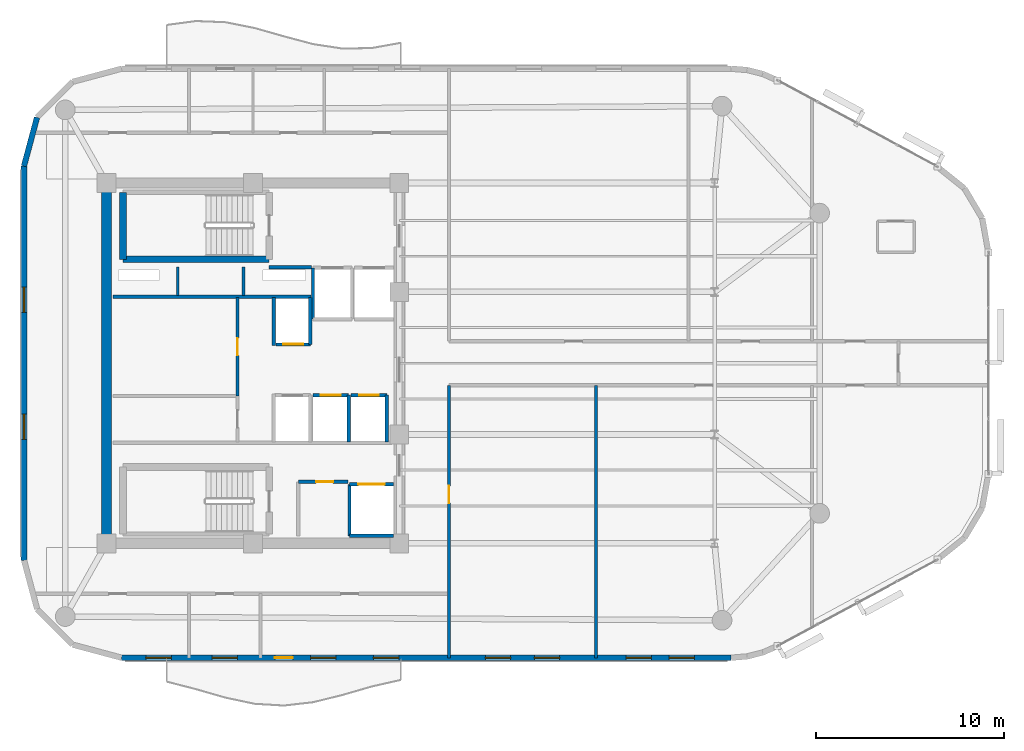
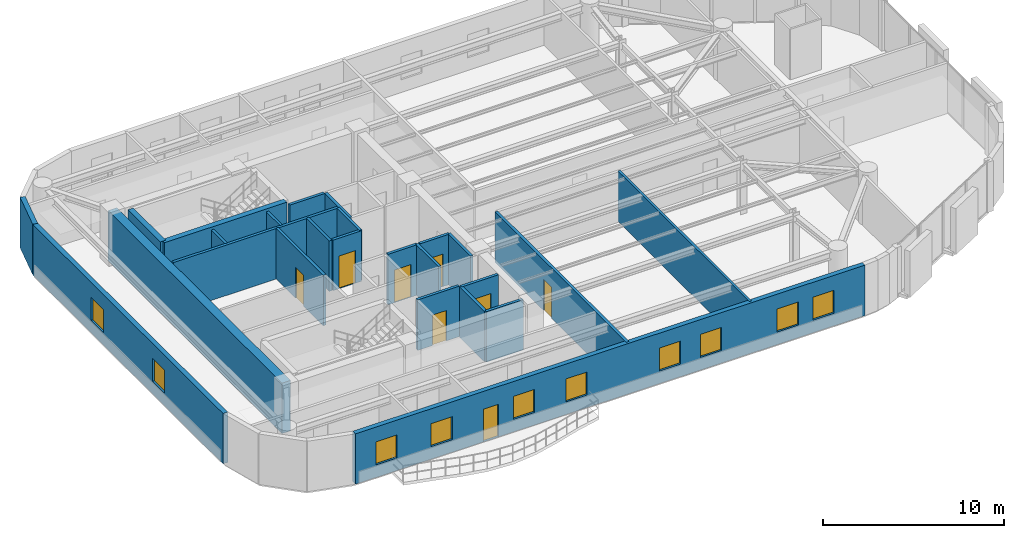
# One storey, part 9 of 13: 25 walls, 10 windows, 8 doors, 18 openings.
"""IFC4 building model written with IfcOpenShell, lengths in metres."""

from ifc_helpers import new_model, si_unit, direction, frame, frame_2d, origin, place, context, subcontext, project, spatial, rectangle, extrude, material, layer, layer_set, type_object, element, fill, save


model = new_model("IFC4")

# Units and contexts
model_context = context("Model", 3, precision=1e-05, world=origin(), true_north=direction((0.0, 1.0)))
body_context = subcontext(model_context, "Body", "Model", "MODEL_VIEW")
ifc_project = project(units=[si_unit("LENGTHUNIT", "METRE"), si_unit("AREAUNIT", "SQUARE_METRE"), si_unit("VOLUMEUNIT", "CUBIC_METRE"), si_unit("PLANEANGLEUNIT", "RADIAN"), si_unit("MASSUNIT", "GRAM", prefix="KILO")], contexts=[model_context])

# Site, building, storey
site_placement = place(None, origin())
site = spatial("IfcSite", under=ifc_project, at=site_placement, CompositionType="ELEMENT")
building_placement = place(site_placement, origin())
building = spatial("IfcBuilding", under=site, at=building_placement, Name="An Khanh Terracotta Commons", CompositionType="ELEMENT")
storey_placement = place(building_placement, frame((0.0, 0.0, 204.89990234375)))
storey = spatial("IfcBuildingStorey", under=building, at=storey_placement, Name="L53", CompositionType="ELEMENT", Elevation=204.89990234375)

# Walls
ifc_material_1 = material(Name="Concrete C50/60", Category="concrete")
ifc_layer_1 = layer(ifc_material_1, 0.550048828125, Name="Concrete C50/60")
ifc_layer_set_1 = layer_set([ifc_layer_1], Name="Concrete C50/60")
wall_type_1 = type_object("IfcWallType", Name="WALL-CORE-550", PredefinedType="SHEAR", material=ifc_layer_set_1)
wall_1_placement = place(storey_placement, frame((21.60009765625, 14.39990234375, 0.0), z_axis=(0.0, 0.0, 1.0), x_axis=(0.0, 1.0, 0.0)))
element("IfcWall", 1, at=wall_1_placement, inside=storey, type_object=wall_type_1, Name="L53 Core Wall CWALL-L53-W", PredefinedType="SHEAR", context=body_context, shape_type="SweptSolid", body=[
    extrude(rectangle(XDim=19.2001953125, YDim=0.550048828125, at=frame_2d((9.60009765625, 0.0))), origin(), (0.0, 0.0, 1.0), 3.400146484375),
])
ifc_material_2 = material(Name="Fire-Rated Gypsum Board on Steel Stud", Category="steel")
ifc_layer_2 = layer(ifc_material_2, 0.179931640625, Name="Fire-Rated Gypsum Board on Steel Stud")
ifc_layer_set_2 = layer_set([ifc_layer_2], Name="Fire-Rated Gypsum Board on Steel Stud")
wall_type_2 = type_object("IfcWallType", Name="WALL-CORR-180", PredefinedType="PARTITIONING", material=ifc_layer_set_2)
wall_2_placement = place(storey_placement, frame((30.27001953125, 29.1201171875, 0.0), z_axis=(0.0, 0.0, 1.0), x_axis=(1.0, 0.0, 0.0)))
element("IfcWall", 2, at=wall_2_placement, inside=storey, type_object=wall_type_2, Name="L53 Core Wall FFLW-L53-S", PredefinedType="PARTITIONING", context=body_context, shape_type="SweptSolid", body=[
    extrude(rectangle(XDim=2.239990234375, YDim=0.179931640625, at=frame_2d((1.1201171875, 0.0))), origin(), (0.0, 0.0, 1.0), 3.400146484375),
])
wall_3_placement = place(storey_placement, frame((21.949951171875, 27.5400390625, 0.0), z_axis=(0.0, 0.0, 1.0), x_axis=(1.0, 0.0, 0.0)))
element("IfcWall", 3, at=wall_3_placement, inside=storey, type_object=wall_type_2, Name="L53 Core Wall RSRW-L53-S", PredefinedType="PARTITIONING", context=body_context, shape_type="SweptSolid", body=[
    extrude(rectangle(XDim=10.56005859375, YDim=0.179931640625, at=frame_2d((5.280029296875, 0.0))), origin(), (0.0, 0.0, 1.0), 3.400146484375),
])

# Wall, opening, door
wall_4_placement = place(storey_placement, frame((31.820068359375, 17.679931640625, 0.0), z_axis=(0.0, 0.0, 1.0), x_axis=(1.0, 0.0, 0.0)))
wall_4 = element("IfcWall", 4, at=wall_4_placement, inside=storey, type_object=wall_type_2, Name="L53 Core Wall SSVCW-L53-N", PredefinedType="PARTITIONING", context=body_context, shape_type="SweptSolid", body=[
    extrude(rectangle(XDim=2.659912109375, YDim=0.179931640625, at=frame_2d((1.330078125, 0.0))), origin(), (0.0, 0.0, 1.0), 3.400146484375),
])
opening_1_placement = place(wall_4_placement, frame((0.949951171875, 0.0, 0.0)))
opening_1 = element("IfcOpeningElement", 5, at=opening_1_placement, cuts=wall_4, Name="Opening D-SV", PredefinedType="OPENING", context=body_context, shape_type="SweptSolid", body=[
    extrude(rectangle(XDim=0.89990234375, YDim=2.050048828125, at=frame_2d((0.449951171875, 1.02490234375))), frame((0.0, 0.099853515625, 0.0), z_axis=(0.0, -1.0, 0.0), x_axis=(1.0, 0.0, 0.0)), (0.0, 0.0, 1.0), 0.199951171875),
])
ifc_material_3 = material(Name="Fire-Rated Powder-Coated Steel Door", Category="steel")
door_type_1 = type_object("IfcDoorType", Name="DOOR-SERV-900", OperationType="NOTDEFINED", PredefinedType="DOOR", material=ifc_material_3)
door_1_placement = place(opening_1_placement, origin())
door_1 = element("IfcDoor", 6, at=door_1_placement, inside=storey, type_object=door_type_1, Name="L53 Core Housekeeping Store Door", OperationType="SINGLE_SWING_LEFT", OverallHeight=2.050048828125, OverallWidth=0.89990234375, PredefinedType="DOOR", context=body_context, shape_type="SweptSolid", body=[
    extrude(rectangle(XDim=0.89990234375, YDim=2.050048828125, at=frame_2d((0.449951171875, 1.02490234375))), frame((0.0, 0.02490234375, 0.0), z_axis=(0.0, -1.0, 0.0), x_axis=(1.0, 0.0, 0.0)), (0.0, 0.0, 1.0), 0.050048828125),
])
fill(opening_1, door_1)

# Wall
wall_5_placement = place(storey_placement, frame((32.60009765625, 29.080078125, 0.0), z_axis=(0.0, 0.0, 1.0), x_axis=(0.0, -1.0, 0.0)))
element("IfcWall", 7, at=wall_5_placement, inside=storey, type_object=wall_type_2, Name="L53 Core Wall LSH-L53-FFL-01-W", PredefinedType="PARTITIONING", context=body_context, shape_type="SweptSolid", body=[
    extrude(rectangle(XDim=2.72998046875, YDim=0.179931640625, at=frame_2d((1.364990234375, 0.0))), origin(), (0.0, 0.0, 1.0), 3.400146484375),
])

# Wall, opening, door
wall_6_placement = place(storey_placement, frame((34.550048828125, 17.550048828125, 0.0), z_axis=(0.0, 0.0, 1.0), x_axis=(1.0, 0.0, 0.0)))
wall_6 = element("IfcWall", 8, at=wall_6_placement, inside=storey, type_object=wall_type_2, Name="L53 Core Wall LSH-L53-SVL-01-N", PredefinedType="PARTITIONING", context=body_context, shape_type="SweptSolid", body=[
    extrude(rectangle(XDim=2.349853515625, YDim=0.179931640625, at=frame_2d((1.1748046875, 0.0))), origin(), (0.0, 0.0, 1.0), 3.400146484375),
])
opening_2_placement = place(wall_6_placement, frame((0.47509765625, 0.0, 0.0)))
opening_2 = element("IfcOpeningElement", 9, at=opening_2_placement, cuts=wall_6, Name="Opening LD-SVL-01-L53", PredefinedType="OPENING", context=body_context, shape_type="SweptSolid", body=[
    extrude(rectangle(XDim=1.39990234375, YDim=2.300048828125, at=frame_2d((0.699951171875, 1.14990234375))), frame((0.0, 0.099853515625, 0.0), z_axis=(0.0, -1.0, 0.0), x_axis=(1.0, 0.0, 0.0)), (0.0, 0.0, 1.0), 0.199951171875),
])
ifc_material_4 = material(Name="Heavy-Duty Stainless Steel Goods Landing Door", Category="steel")
door_type_2 = type_object("IfcDoorType", Name="DOOR-LD-SVL-1400", OperationType="NOTDEFINED", PredefinedType="DOOR", material=ifc_material_4)
door_2_placement = place(opening_2_placement, origin())
door_2 = element("IfcDoor", 10, at=door_2_placement, inside=storey, type_object=door_type_2, Name="L53 Lift SVL-01 Sliding Landing Door", OperationType="DOUBLE_DOOR_SLIDING", OverallHeight=2.300048828125, OverallWidth=1.39990234375, PredefinedType="DOOR", context=body_context, shape_type="SweptSolid", body=[
    extrude(rectangle(XDim=1.39990234375, YDim=2.300048828125, at=frame_2d((0.699951171875, 1.14990234375))), frame((0.0, 0.02490234375, 0.0), z_axis=(0.0, -1.0, 0.0), x_axis=(1.0, 0.0, 0.0)), (0.0, 0.0, 1.0), 0.050048828125),
])
fill(opening_2, door_2)

# Walls
wall_7_placement = place(storey_placement, frame((36.89990234375, 14.800048828125, 0.0), z_axis=(0.0, 0.0, 1.0), x_axis=(-1.0, 0.0, 0.0)))
element("IfcWall", 11, at=wall_7_placement, inside=storey, type_object=wall_type_2, Name="L53 Core Wall LSH-L53-SVL-01-S", PredefinedType="PARTITIONING", context=body_context, shape_type="SweptSolid", body=[
    extrude(rectangle(XDim=2.349853515625, YDim=0.179931640625, at=frame_2d((1.1748046875, 0.0))), origin(), (0.0, 0.0, 1.0), 3.400146484375),
])
wall_8_placement = place(storey_placement, frame((34.550048828125, 17.550048828125, 0.0), z_axis=(0.0, 0.0, 1.0), x_axis=(0.0, -1.0, 0.0)))
element("IfcWall", 12, at=wall_8_placement, inside=storey, type_object=wall_type_2, Name="L53 Core Wall LSH-L53-SVL-01-W", PredefinedType="PARTITIONING", context=body_context, shape_type="SweptSolid", body=[
    extrude(rectangle(XDim=2.75, YDim=0.179931640625, at=frame_2d((1.375, 0.0))), origin(), (0.0, 0.0, 1.0), 3.400146484375),
])

# Wall, opening, door
wall_9_placement = place(storey_placement, frame((32.4599609375, 25.0, 0.0), z_axis=(0.0, 0.0, 1.0), x_axis=(-1.0, 0.0, 0.0)))
wall_9 = element("IfcWall", 13, at=wall_9_placement, inside=storey, type_object=wall_type_2, Name="L53 Core Wall LSH-L53-PL-H1-S", PredefinedType="PARTITIONING", context=body_context, shape_type="SweptSolid", body=[
    extrude(rectangle(XDim=1.820068359375, YDim=0.179931640625, at=frame_2d((0.91015625, 0.0))), origin(), (0.0, 0.0, 1.0), 3.400146484375),
])
opening_3_placement = place(wall_9_placement, frame((0.385009765625, 0.0, 0.0)))
opening_3 = element("IfcOpeningElement", 14, at=opening_3_placement, cuts=wall_9, Name="Opening LD-PL-H1-L53", PredefinedType="OPENING", context=body_context, shape_type="SweptSolid", body=[
    extrude(rectangle(XDim=1.050048828125, YDim=2.199951171875, at=frame_2d((0.52490234375, 1.10009765625))), frame((0.0, 0.099853515625, 0.0), z_axis=(0.0, -1.0, 0.0), x_axis=(1.0, 0.0, 0.0)), (0.0, 0.0, 1.0), 0.199951171875),
])
ifc_material_5 = material(Name="Brushed Stainless Steel High-Rise Landing Door", Category="steel")
door_type_3 = type_object("IfcDoorType", Name="DOOR-LD-PAXH-1050", OperationType="NOTDEFINED", PredefinedType="DOOR", material=ifc_material_5)
door_3_placement = place(opening_3_placement, origin())
door_3 = element("IfcDoor", 15, at=door_3_placement, inside=storey, type_object=door_type_3, Name="L53 Lift PL-H1 Sliding Landing Door", OperationType="DOUBLE_DOOR_SLIDING", OverallHeight=2.199951171875, OverallWidth=1.050048828125, PredefinedType="DOOR", context=body_context, shape_type="SweptSolid", body=[
    extrude(rectangle(XDim=1.050048828125, YDim=2.199951171875, at=frame_2d((0.52490234375, 1.10009765625))), frame((0.0, 0.02490234375, 0.0), z_axis=(0.0, -1.0, 0.0), x_axis=(1.0, 0.0, 0.0)), (0.0, 0.0, 1.0), 0.050048828125),
])
fill(opening_3, door_3)

# Wall
wall_10_placement = place(storey_placement, frame((32.4599609375, 25.0, 0.0), z_axis=(0.0, 0.0, 1.0), x_axis=(0.0, 1.0, 0.0)))
element("IfcWall", 16, at=wall_10_placement, inside=storey, type_object=wall_type_2, Name="L53 Core Wall LSH-L53-PL-H1-E", PredefinedType="PARTITIONING", context=body_context, shape_type="SweptSolid", body=[
    extrude(rectangle(XDim=2.5, YDim=0.179931640625, at=frame_2d((1.25, 0.0))), origin(), (0.0, 0.0, 1.0), 3.400146484375),
])

# Wall, opening, door
wall_11_placement = place(storey_placement, frame((32.60009765625, 22.300048828125, 0.0), z_axis=(0.0, 0.0, 1.0), x_axis=(1.0, 0.0, 0.0)))
wall_11 = element("IfcWall", 17, at=wall_11_placement, inside=storey, type_object=wall_type_2, Name="L53 Core Wall LSH-L53-PL-H3-N", PredefinedType="PARTITIONING", context=body_context, shape_type="SweptSolid", body=[
    extrude(rectangle(XDim=1.89990234375, YDim=0.179931640625, at=frame_2d((0.949951171875, 0.0))), origin(), (0.0, 0.0, 1.0), 3.400146484375),
])
opening_4_placement = place(wall_11_placement, frame((0.425048828125, 0.0, 0.0)))
opening_4 = element("IfcOpeningElement", 18, at=opening_4_placement, cuts=wall_11, Name="Opening LD-PL-H3-L53", PredefinedType="OPENING", context=body_context, shape_type="SweptSolid", body=[
    extrude(rectangle(XDim=1.050048828125, YDim=2.199951171875, at=frame_2d((0.52490234375, 1.10009765625))), frame((0.0, 0.099853515625, 0.0), z_axis=(0.0, -1.0, 0.0), x_axis=(1.0, 0.0, 0.0)), (0.0, 0.0, 1.0), 0.199951171875),
])
door_4_placement = place(opening_4_placement, origin())
door_4 = element("IfcDoor", 19, at=door_4_placement, inside=storey, type_object=door_type_3, Name="L53 Lift PL-H3 Sliding Landing Door", OperationType="DOUBLE_DOOR_SLIDING", OverallHeight=2.199951171875, OverallWidth=1.050048828125, PredefinedType="DOOR", context=body_context, shape_type="SweptSolid", body=[
    extrude(rectangle(XDim=1.050048828125, YDim=2.199951171875, at=frame_2d((0.52490234375, 1.10009765625))), frame((0.0, 0.02490234375, 0.0), z_axis=(0.0, -1.0, 0.0), x_axis=(1.0, 0.0, 0.0)), (0.0, 0.0, 1.0), 0.050048828125),
])
fill(opening_4, door_4)

# Wall
wall_12_placement = place(storey_placement, frame((34.5, 19.800048828125, 0.0), z_axis=(0.0, 0.0, 1.0), x_axis=(0.0, 1.0, 0.0)))
element("IfcWall", 20, at=wall_12_placement, inside=storey, type_object=wall_type_2, Name="L53 Core Wall LSH-L53-PL-H3-E", PredefinedType="PARTITIONING", context=body_context, shape_type="SweptSolid", body=[
    extrude(rectangle(XDim=2.5, YDim=0.179931640625, at=frame_2d((1.25, 0.0))), origin(), (0.0, 0.0, 1.0), 3.400146484375),
])

# Wall, opening, door
wall_13_placement = place(storey_placement, frame((34.639892578125, 22.300048828125, 0.0), z_axis=(0.0, 0.0, 1.0), x_axis=(1.0, 0.0, 0.0)))
wall_13 = element("IfcWall", 21, at=wall_13_placement, inside=storey, type_object=wall_type_2, Name="L53 Core Wall LSH-L53-PL-H4-N", PredefinedType="PARTITIONING", context=body_context, shape_type="SweptSolid", body=[
    extrude(rectangle(XDim=1.900146484375, YDim=0.179931640625, at=frame_2d((0.9501953125, 0.0))), origin(), (0.0, 0.0, 1.0), 3.400146484375),
])
opening_5_placement = place(wall_13_placement, frame((0.425048828125, 0.0, 0.0)))
opening_5 = element("IfcOpeningElement", 22, at=opening_5_placement, cuts=wall_13, Name="Opening LD-PL-H4-L53", PredefinedType="OPENING", context=body_context, shape_type="SweptSolid", body=[
    extrude(rectangle(XDim=1.050048828125, YDim=2.199951171875, at=frame_2d((0.52490234375, 1.10009765625))), frame((0.0, 0.099853515625, 0.0), z_axis=(0.0, -1.0, 0.0), x_axis=(1.0, 0.0, 0.0)), (0.0, 0.0, 1.0), 0.199951171875),
])
door_5_placement = place(opening_5_placement, origin())
door_5 = element("IfcDoor", 23, at=door_5_placement, inside=storey, type_object=door_type_3, Name="L53 Lift PL-H4 Sliding Landing Door", OperationType="DOUBLE_DOOR_SLIDING", OverallHeight=2.199951171875, OverallWidth=1.050048828125, PredefinedType="DOOR", context=body_context, shape_type="SweptSolid", body=[
    extrude(rectangle(XDim=1.050048828125, YDim=2.199951171875, at=frame_2d((0.52490234375, 1.10009765625))), frame((0.0, 0.02490234375, 0.0), z_axis=(0.0, -1.0, 0.0), x_axis=(1.0, 0.0, 0.0)), (0.0, 0.0, 1.0), 0.050048828125),
])
fill(opening_5, door_5)

# Walls
wall_14_placement = place(storey_placement, frame((36.5400390625, 19.800048828125, 0.0), z_axis=(0.0, 0.0, 1.0), x_axis=(0.0, 1.0, 0.0)))
element("IfcWall", 24, at=wall_14_placement, inside=storey, type_object=wall_type_2, Name="L53 Core Wall LSH-L53-PL-H4-E", PredefinedType="PARTITIONING", context=body_context, shape_type="SweptSolid", body=[
    extrude(rectangle(XDim=2.5, YDim=0.179931640625, at=frame_2d((1.25, 0.0))), origin(), (0.0, 0.0, 1.0), 3.400146484375),
])
wall_15_placement = place(storey_placement, frame((30.52001953125, 24.949951171875, 0.0), z_axis=(0.0, 0.0, 1.0), x_axis=(0.0, 1.0, 0.0)))
element("IfcWall", 25, at=wall_15_placement, inside=storey, type_object=wall_type_2, Name="L53 Core Wall RECW-L53-BE1", PredefinedType="PARTITIONING", context=body_context, shape_type="SweptSolid", body=[
    extrude(rectangle(XDim=2.550048828125, YDim=0.179931640625, at=frame_2d((1.27490234375, 0.0))), origin(), (0.0, 0.0, 1.0), 3.400146484375),
])

# Wall, opening, door
wall_16_placement = place(storey_placement, frame((28.580078125, 22.25, 0.0), z_axis=(0.0, 0.0, 1.0), x_axis=(0.0, 1.0, 0.0)))
wall_16 = element("IfcWall", 26, at=wall_16_placement, inside=storey, type_object=wall_type_2, Name="L53 Core Wall RECW-L53-E1", PredefinedType="PARTITIONING", context=body_context, shape_type="SweptSolid", body=[
    extrude(rectangle(XDim=5.25, YDim=0.179931640625, at=frame_2d((2.625, 0.0))), origin(), (0.0, 0.0, 1.0), 3.400146484375),
])
opening_6_placement = place(wall_16_placement, frame((2.1650390625, 0.0, 0.0)))
opening_6 = element("IfcOpeningElement", 27, at=opening_6_placement, cuts=wall_16, Name="Opening D-RM", PredefinedType="OPENING", context=body_context, shape_type="SweptSolid", body=[
    extrude(rectangle(XDim=0.919921875, YDim=2.10009765625, at=frame_2d((0.4599609375, 1.050048828125))), frame((0.0, 0.099853515625, 0.0), z_axis=(0.0, -1.0, 0.0), x_axis=(1.0, 0.0, 0.0)), (0.0, 0.0, 1.0), 0.199951171875),
])
ifc_material_6 = material(Name="Engineered Hardwood Timber Leaf", Category="wood")
door_type_4 = type_object("IfcDoorType", Name="DOOR-INT-920", OperationType="NOTDEFINED", PredefinedType="DOOR", material=ifc_material_6)
door_6_placement = place(opening_6_placement, origin())
door_6 = element("IfcDoor", 28, at=door_6_placement, inside=storey, type_object=door_type_4, Name="L53 Quiet Fellowship Study Room Door", OperationType="SINGLE_SWING_RIGHT", OverallHeight=2.10009765625, OverallWidth=0.919921875, PredefinedType="DOOR", context=body_context, shape_type="SweptSolid", body=[
    extrude(rectangle(XDim=0.919921875, YDim=2.10009765625, at=frame_2d((0.4599609375, 1.050048828125))), frame((0.0, 0.02490234375, 0.0), z_axis=(0.0, -1.0, 0.0), x_axis=(1.0, 0.0, 0.0)), (0.0, 0.0, 1.0), 0.050048828125),
])
fill(opening_6, door_6)

wall_17_placement = place(storey_placement, frame((39.85009765625, 8.300048828125, 0.0), z_axis=(0.0, 0.0, 1.0), x_axis=(0.0, 1.0, 0.0)))
wall_17 = element("IfcWall", 29, at=wall_17_placement, inside=storey, type_object=wall_type_2, Name="L53 Interior Partition IW-L53-E010", PredefinedType="PARTITIONING", context=body_context, shape_type="SweptSolid", body=[
    extrude(rectangle(XDim=14.52001953125, YDim=0.179931640625, at=frame_2d((7.260009765625, 0.0))), origin(), (0.0, 0.0, 1.0), 3.400146484375),
])
opening_7_placement = place(wall_17_placement, frame((8.25, 0.0, 0.0)))
opening_7 = element("IfcOpeningElement", 30, at=opening_7_placement, cuts=wall_17, Name="Opening D-RM", PredefinedType="OPENING", context=body_context, shape_type="SweptSolid", body=[
    extrude(rectangle(XDim=0.919921875, YDim=2.10009765625, at=frame_2d((0.4599609375, 1.050048828125))), frame((0.0, 0.099853515625, 0.0), z_axis=(0.0, -1.0, 0.0), x_axis=(1.0, 0.0, 0.0)), (0.0, 0.0, 1.0), 0.199951171875),
])
door_7_placement = place(opening_7_placement, origin())
door_7 = element("IfcDoor", 31, at=door_7_placement, inside=storey, type_object=door_type_4, Name="L53 SB1 Group Tutorial Meeting Room Door", OperationType="SINGLE_SWING_RIGHT", OverallHeight=2.10009765625, OverallWidth=0.919921875, PredefinedType="DOOR", context=body_context, shape_type="SweptSolid", body=[
    extrude(rectangle(XDim=0.919921875, YDim=2.10009765625, at=frame_2d((0.4599609375, 1.050048828125))), frame((0.0, 0.02490234375, 0.0), z_axis=(0.0, -1.0, 0.0), x_axis=(1.0, 0.0, 0.0)), (0.0, 0.0, 1.0), 0.050048828125),
])
fill(opening_7, door_7)

# Wall, openings, door, windows
ifc_material_7 = material(Name="Precast concrete C40/50", Category="concrete")
ifc_layer_3 = layer(ifc_material_7, 0.300048828125, Name="Precast concrete C40/50")
ifc_layer_set_3 = layer_set([ifc_layer_3], Name="Precast concrete C40/50")
wall_type_3 = type_object("IfcWallType", Name="WALL-EXT-300", PredefinedType="SOLIDWALL", material=ifc_layer_set_3)
wall_18_placement = place(storey_placement, frame((22.39990234375, 8.300048828125, 0.0), z_axis=(0.0, 0.0, 1.0), x_axis=(1.0, 0.0, 0.0)))
wall_18 = element("IfcWall", 32, at=wall_18_placement, inside=storey, type_object=wall_type_3, Name="L53 Insulated Terracotta Exterior Wall 4", PredefinedType="SOLIDWALL", context=body_context, shape_type="SweptSolid", body=[
    extrude(rectangle(XDim=32.485107421875, YDim=0.300048828125, at=frame_2d((16.24267578125, 0.0))), origin(), (0.0, 0.0, 1.0), 3.400146484375),
])
opening_8_placement = place(wall_18_placement, frame((8.175048828125, 0.0, 0.0)))
opening_8 = element("IfcOpeningElement", 33, at=opening_8_placement, cuts=wall_18, Name="Opening D-BAL", PredefinedType="OPENING", context=body_context, shape_type="SweptSolid", body=[
    extrude(rectangle(XDim=0.949951171875, YDim=2.199951171875, at=frame_2d((0.47509765625, 1.10009765625))), frame((0.0, 0.159912109375, 0.0), z_axis=(0.0, -1.0, 0.0), x_axis=(1.0, 0.0, 0.0)), (0.0, 0.0, 1.0), 0.320068359375),
])
opening_9_placement = place(wall_18_placement, frame((1.300048828125, 0.0, 0.85009765625)))
opening_9 = element("IfcOpeningElement", 34, at=opening_9_placement, cuts=wall_18, Name="Opening W-04", PredefinedType="OPENING", context=body_context, shape_type="SweptSolid", body=[
    extrude(rectangle(XDim=1.35009765625, YDim=1.550048828125, at=frame_2d((0.675048828125, 0.77490234375))), frame((0.0, 0.159912109375, 0.0), z_axis=(0.0, -1.0, 0.0), x_axis=(1.0, 0.0, 0.0)), (0.0, 0.0, 1.0), 0.320068359375),
])
opening_10_placement = place(wall_18_placement, frame((4.824951171875, 0.0, 0.85009765625)))
opening_10 = element("IfcOpeningElement", 35, at=opening_10_placement, cuts=wall_18, Name="Opening W-04", PredefinedType="OPENING", context=body_context, shape_type="SweptSolid", body=[
    extrude(rectangle(XDim=1.35009765625, YDim=1.550048828125, at=frame_2d((0.675048828125, 0.77490234375))), frame((0.0, 0.159912109375, 0.0), z_axis=(0.0, -1.0, 0.0), x_axis=(1.0, 0.0, 0.0)), (0.0, 0.0, 1.0), 0.320068359375),
])
opening_11_placement = place(wall_18_placement, frame((10.074951171875, 0.0, 0.85009765625)))
opening_11 = element("IfcOpeningElement", 36, at=opening_11_placement, cuts=wall_18, Name="Opening W-04", PredefinedType="OPENING", context=body_context, shape_type="SweptSolid", body=[
    extrude(rectangle(XDim=1.35009765625, YDim=1.550048828125, at=frame_2d((0.675048828125, 0.77490234375))), frame((0.0, 0.159912109375, 0.0), z_axis=(0.0, -1.0, 0.0), x_axis=(1.0, 0.0, 0.0)), (0.0, 0.0, 1.0), 0.320068359375),
])
opening_12_placement = place(wall_18_placement, frame((13.425048828125, 0.0, 0.85009765625)))
opening_12 = element("IfcOpeningElement", 37, at=opening_12_placement, cuts=wall_18, Name="Opening W-04", PredefinedType="OPENING", context=body_context, shape_type="SweptSolid", body=[
    extrude(rectangle(XDim=1.35009765625, YDim=1.550048828125, at=frame_2d((0.675048828125, 0.77490234375))), frame((0.0, 0.159912109375, 0.0), z_axis=(0.0, -1.0, 0.0), x_axis=(1.0, 0.0, 0.0)), (0.0, 0.0, 1.0), 0.320068359375),
])
opening_13_placement = place(wall_18_placement, frame((19.385986328125, 0.0, 0.85009765625)))
opening_13 = element("IfcOpeningElement", 38, at=opening_13_placement, cuts=wall_18, Name="Opening W-04", PredefinedType="OPENING", context=body_context, shape_type="SweptSolid", body=[
    extrude(rectangle(XDim=1.35009765625, YDim=1.550048828125, at=frame_2d((0.675048828125, 0.77490234375))), frame((0.0, 0.159912109375, 0.0), z_axis=(0.0, -1.0, 0.0), x_axis=(1.0, 0.0, 0.0)), (0.0, 0.0, 1.0), 0.320068359375),
])
opening_14_placement = place(wall_18_placement, frame((21.99609375, 0.0, 0.85009765625)))
opening_14 = element("IfcOpeningElement", 39, at=opening_14_placement, cuts=wall_18, Name="Opening W-04", PredefinedType="OPENING", context=body_context, shape_type="SweptSolid", body=[
    extrude(rectangle(XDim=1.35009765625, YDim=1.550048828125, at=frame_2d((0.675048828125, 0.77490234375))), frame((0.0, 0.159912109375, 0.0), z_axis=(0.0, -1.0, 0.0), x_axis=(1.0, 0.0, 0.0)), (0.0, 0.0, 1.0), 0.320068359375),
])
opening_15_placement = place(wall_18_placement, frame((26.89111328125, 0.0, 0.85009765625)))
opening_15 = element("IfcOpeningElement", 40, at=opening_15_placement, cuts=wall_18, Name="Opening W-04", PredefinedType="OPENING", context=body_context, shape_type="SweptSolid", body=[
    extrude(rectangle(XDim=1.35009765625, YDim=1.550048828125, at=frame_2d((0.675048828125, 0.77490234375))), frame((0.0, 0.159912109375, 0.0), z_axis=(0.0, -1.0, 0.0), x_axis=(1.0, 0.0, 0.0)), (0.0, 0.0, 1.0), 0.320068359375),
])
opening_16_placement = place(wall_18_placement, frame((29.176025390625, 0.0, 0.85009765625)))
opening_16 = element("IfcOpeningElement", 41, at=opening_16_placement, cuts=wall_18, Name="Opening W-04", PredefinedType="OPENING", context=body_context, shape_type="SweptSolid", body=[
    extrude(rectangle(XDim=1.35009765625, YDim=1.550048828125, at=frame_2d((0.675048828125, 0.77490234375))), frame((0.0, 0.159912109375, 0.0), z_axis=(0.0, -1.0, 0.0), x_axis=(1.0, 0.0, 0.0)), (0.0, 0.0, 1.0), 0.320068359375),
])
ifc_material_8 = material(Name="Thermally Broken Aluminium and Low-E Glass", Category="aluminium")
door_type_5 = type_object("IfcDoorType", Name="DOOR-BALC-950", OperationType="NOTDEFINED", PredefinedType="DOOR", material=ifc_material_8)
door_8_placement = place(opening_8_placement, origin())
door_8 = element("IfcDoor", 42, at=door_8_placement, inside=storey, type_object=door_type_5, Name="L53 S Wave Balcony Glazed Door", OperationType="SINGLE_SWING_LEFT", OverallHeight=2.199951171875, OverallWidth=0.949951171875, PredefinedType="DOOR", context=body_context, shape_type="SweptSolid", body=[
    extrude(rectangle(XDim=0.949951171875, YDim=2.199951171875, at=frame_2d((0.47509765625, 1.10009765625))), frame((0.0, 0.02490234375, 0.0), z_axis=(0.0, -1.0, 0.0), x_axis=(1.0, 0.0, 0.0)), (0.0, 0.0, 1.0), 0.050048828125),
])
fill(opening_8, door_8)
window_type = type_object("IfcWindowType", Name="WIN-Z4-1350x1550", PartitioningType="SINGLE_PANEL", PredefinedType="WINDOW", material=ifc_material_8)
window_1_placement = place(opening_9_placement, origin())
window_1 = element("IfcWindow", 43, at=window_1_placement, inside=storey, type_object=window_type, Name="L53 Operable Casement Window 4.1", OverallHeight=1.550048828125, OverallWidth=1.35009765625, PartitioningType="SINGLE_PANEL", PredefinedType="WINDOW", context=body_context, shape_type="SweptSolid", body=[
    extrude(rectangle(XDim=1.35009765625, YDim=1.550048828125, at=frame_2d((0.675048828125, 0.77490234375))), frame((0.0, 0.030029296875, 0.0), z_axis=(0.0, -1.0, 0.0), x_axis=(1.0, 0.0, 0.0)), (0.0, 0.0, 1.0), 0.06005859375),
])
fill(opening_9, window_1)
window_2_placement = place(opening_10_placement, origin())
window_2 = element("IfcWindow", 44, at=window_2_placement, inside=storey, type_object=window_type, Name="L53 Operable Casement Window 4.2", OverallHeight=1.550048828125, OverallWidth=1.35009765625, PartitioningType="SINGLE_PANEL", PredefinedType="WINDOW", context=body_context, shape_type="SweptSolid", body=[
    extrude(rectangle(XDim=1.35009765625, YDim=1.550048828125, at=frame_2d((0.675048828125, 0.77490234375))), frame((0.0, 0.030029296875, 0.0), z_axis=(0.0, -1.0, 0.0), x_axis=(1.0, 0.0, 0.0)), (0.0, 0.0, 1.0), 0.06005859375),
])
fill(opening_10, window_2)
window_3_placement = place(opening_11_placement, origin())
window_3 = element("IfcWindow", 45, at=window_3_placement, inside=storey, type_object=window_type, Name="L53 Operable Casement Window 4.3", OverallHeight=1.550048828125, OverallWidth=1.35009765625, PartitioningType="SINGLE_PANEL", PredefinedType="WINDOW", context=body_context, shape_type="SweptSolid", body=[
    extrude(rectangle(XDim=1.35009765625, YDim=1.550048828125, at=frame_2d((0.675048828125, 0.77490234375))), frame((0.0, 0.030029296875, 0.0), z_axis=(0.0, -1.0, 0.0), x_axis=(1.0, 0.0, 0.0)), (0.0, 0.0, 1.0), 0.06005859375),
])
fill(opening_11, window_3)
window_4_placement = place(opening_12_placement, origin())
window_4 = element("IfcWindow", 46, at=window_4_placement, inside=storey, type_object=window_type, Name="L53 Operable Casement Window 4.4", OverallHeight=1.550048828125, OverallWidth=1.35009765625, PartitioningType="SINGLE_PANEL", PredefinedType="WINDOW", context=body_context, shape_type="SweptSolid", body=[
    extrude(rectangle(XDim=1.35009765625, YDim=1.550048828125, at=frame_2d((0.675048828125, 0.77490234375))), frame((0.0, 0.030029296875, 0.0), z_axis=(0.0, -1.0, 0.0), x_axis=(1.0, 0.0, 0.0)), (0.0, 0.0, 1.0), 0.06005859375),
])
fill(opening_12, window_4)
window_5_placement = place(opening_13_placement, origin())
window_5 = element("IfcWindow", 47, at=window_5_placement, inside=storey, type_object=window_type, Name="L53 Operable Casement Window 4.5", OverallHeight=1.550048828125, OverallWidth=1.35009765625, PartitioningType="SINGLE_PANEL", PredefinedType="WINDOW", context=body_context, shape_type="SweptSolid", body=[
    extrude(rectangle(XDim=1.35009765625, YDim=1.550048828125, at=frame_2d((0.675048828125, 0.77490234375))), frame((0.0, 0.030029296875, 0.0), z_axis=(0.0, -1.0, 0.0), x_axis=(1.0, 0.0, 0.0)), (0.0, 0.0, 1.0), 0.06005859375),
])
fill(opening_13, window_5)
window_6_placement = place(opening_14_placement, origin())
window_6 = element("IfcWindow", 48, at=window_6_placement, inside=storey, type_object=window_type, Name="L53 Operable Casement Window 4.6", OverallHeight=1.550048828125, OverallWidth=1.35009765625, PartitioningType="SINGLE_PANEL", PredefinedType="WINDOW", context=body_context, shape_type="SweptSolid", body=[
    extrude(rectangle(XDim=1.35009765625, YDim=1.550048828125, at=frame_2d((0.675048828125, 0.77490234375))), frame((0.0, 0.030029296875, 0.0), z_axis=(0.0, -1.0, 0.0), x_axis=(1.0, 0.0, 0.0)), (0.0, 0.0, 1.0), 0.06005859375),
])
fill(opening_14, window_6)
window_7_placement = place(opening_15_placement, origin())
window_7 = element("IfcWindow", 49, at=window_7_placement, inside=storey, type_object=window_type, Name="L53 Operable Casement Window 4.7", OverallHeight=1.550048828125, OverallWidth=1.35009765625, PartitioningType="SINGLE_PANEL", PredefinedType="WINDOW", context=body_context, shape_type="SweptSolid", body=[
    extrude(rectangle(XDim=1.35009765625, YDim=1.550048828125, at=frame_2d((0.675048828125, 0.77490234375))), frame((0.0, 0.030029296875, 0.0), z_axis=(0.0, -1.0, 0.0), x_axis=(1.0, 0.0, 0.0)), (0.0, 0.0, 1.0), 0.06005859375),
])
fill(opening_15, window_7)
window_8_placement = place(opening_16_placement, origin())
window_8 = element("IfcWindow", 50, at=window_8_placement, inside=storey, type_object=window_type, Name="L53 Operable Casement Window 4.8", OverallHeight=1.550048828125, OverallWidth=1.35009765625, PartitioningType="SINGLE_PANEL", PredefinedType="WINDOW", context=body_context, shape_type="SweptSolid", body=[
    extrude(rectangle(XDim=1.35009765625, YDim=1.550048828125, at=frame_2d((0.675048828125, 0.77490234375))), frame((0.0, 0.030029296875, 0.0), z_axis=(0.0, -1.0, 0.0), x_axis=(1.0, 0.0, 0.0)), (0.0, 0.0, 1.0), 0.06005859375),
])
fill(opening_16, window_8)

# Wall
wall_19_placement = place(storey_placement, frame((17.89697265625, 37.10009765625, 0.0), z_axis=(0.0, 0.0, 1.0), x_axis=(-0.258932525951, -0.965895412042, 0.0)))
element("IfcWall", 51, at=wall_19_placement, inside=storey, type_object=wall_type_3, Name="L53 Insulated Terracotta Exterior Wall 23", PredefinedType="SOLIDWALL", context=body_context, shape_type="SweptSolid", body=[
    extrude(rectangle(XDim=2.69189453125, YDim=0.300048828125, at=frame_2d((1.345947265625, 0.0))), origin(), (0.0, 0.0, 1.0), 3.400146484375),
])

# Wall, openings, windows
wall_20_placement = place(storey_placement, frame((17.199951171875, 34.5, 0.0), z_axis=(0.0, 0.0, 1.0), x_axis=(0.0, -1.0, 0.0)))
wall_20 = element("IfcWall", 52, at=wall_20_placement, inside=storey, type_object=wall_type_3, Name="L53 Insulated Terracotta Exterior Wall 24", PredefinedType="SOLIDWALL", context=body_context, shape_type="SweptSolid", body=[
    extrude(rectangle(XDim=21.0, YDim=0.300048828125, at=frame_2d((10.5, 0.0))), origin(), (0.0, 0.0, 1.0), 3.400146484375),
])
opening_17_placement = place(wall_20_placement, frame((6.44189453125, 0.0, 0.85009765625)))
opening_17 = element("IfcOpeningElement", 53, at=opening_17_placement, cuts=wall_20, Name="Opening W-04", PredefinedType="OPENING", context=body_context, shape_type="SweptSolid", body=[
    extrude(rectangle(XDim=1.35009765625, YDim=1.550048828125, at=frame_2d((0.675048828125, 0.77490234375))), frame((0.0, 0.159912109375, 0.0), z_axis=(0.0, -1.0, 0.0), x_axis=(1.0, 0.0, 0.0)), (0.0, 0.0, 1.0), 0.320068359375),
])
opening_18_placement = place(wall_20_placement, frame((13.2080078125, 0.0, 0.85009765625)))
opening_18 = element("IfcOpeningElement", 54, at=opening_18_placement, cuts=wall_20, Name="Opening W-04", PredefinedType="OPENING", context=body_context, shape_type="SweptSolid", body=[
    extrude(rectangle(XDim=1.35009765625, YDim=1.550048828125, at=frame_2d((0.675048828125, 0.77490234375))), frame((0.0, 0.159912109375, 0.0), z_axis=(0.0, -1.0, 0.0), x_axis=(1.0, 0.0, 0.0)), (0.0, 0.0, 1.0), 0.320068359375),
])
window_9_placement = place(opening_17_placement, origin())
window_9 = element("IfcWindow", 55, at=window_9_placement, inside=storey, type_object=window_type, Name="L53 Operable Casement Window 24.1", OverallHeight=1.550048828125, OverallWidth=1.35009765625, PartitioningType="SINGLE_PANEL", PredefinedType="WINDOW", context=body_context, shape_type="SweptSolid", body=[
    extrude(rectangle(XDim=1.35009765625, YDim=1.550048828125, at=frame_2d((0.675048828125, 0.77490234375))), frame((0.0, 0.030029296875, 0.0), z_axis=(0.0, -1.0, 0.0), x_axis=(1.0, 0.0, 0.0)), (0.0, 0.0, 1.0), 0.06005859375),
])
fill(opening_17, window_9)
window_10_placement = place(opening_18_placement, origin())
window_10 = element("IfcWindow", 56, at=window_10_placement, inside=storey, type_object=window_type, Name="L53 Operable Casement Window 24.2", OverallHeight=1.550048828125, OverallWidth=1.35009765625, PartitioningType="SINGLE_PANEL", PredefinedType="WINDOW", context=body_context, shape_type="SweptSolid", body=[
    extrude(rectangle(XDim=1.35009765625, YDim=1.550048828125, at=frame_2d((0.675048828125, 0.77490234375))), frame((0.0, 0.030029296875, 0.0), z_axis=(0.0, -1.0, 0.0), x_axis=(1.0, 0.0, 0.0)), (0.0, 0.0, 1.0), 0.06005859375),
])
fill(opening_18, window_10)

# Walls
ifc_material_9 = material(Name="Acoustic Gypsum Board Partition")
ifc_layer_4 = layer(ifc_material_9, 0.14990234375, Name="Acoustic Gypsum Board Partition")
ifc_layer_set_4 = layer_set([ifc_layer_4], Name="Acoustic Gypsum Board Partition")
wall_type_4 = type_object("IfcWallType", Name="WALL-PART-150", PredefinedType="PARTITIONING", material=ifc_layer_set_4)
for number, where, z_axis, x_axis, name in (
    (57, (25.39990234375, 27.60009765625, 0.0), (0.0, 0.0, 1.0), (0.0, 1.0, 0.0), "L53 Core Wall RSRW-L53-D1"),
    (58, (28.89990234375, 27.60009765625, 0.0), (0.0, 0.0, 1.0), (0.0, 1.0, 0.0), "L53 Core Wall RSRW-L53-D2"),
):
    element("IfcWall", number, at=place(storey_placement, frame(where, z_axis=z_axis, x_axis=x_axis)), inside=storey, type_object=wall_type_4, Name=name, PredefinedType="PARTITIONING", context=body_context, shape_type="SweptSolid", body=[
        extrude(rectangle(XDim=1.52001953125, YDim=0.14990234375, at=frame_2d((0.760009765625, 0.0))), origin(), (0.0, 0.0, 1.0), 3.400146484375),
    ])
wall_21_placement = place(storey_placement, frame((47.681884765625, 8.300048828125, 0.0), z_axis=(0.0, 0.0, 1.0), x_axis=(0.0, 1.0, 0.0)))
element("IfcWall", 59, at=wall_21_placement, inside=storey, type_object=wall_type_4, Name="L53 Interior Partition IW-L53-E012", PredefinedType="PARTITIONING", context=body_context, shape_type="SweptSolid", body=[
    extrude(rectangle(XDim=14.52001953125, YDim=0.14990234375, at=frame_2d((7.260009765625, 0.0))), origin(), (0.0, 0.0, 1.0), 3.400146484375),
])
ifc_layer_5 = layer(ifc_material_1, 0.35009765625, Name="Concrete C50/60")
ifc_layer_set_5 = layer_set([ifc_layer_5], Name="Concrete C50/60")
wall_type_5 = type_object("IfcWallType", Name="WALL-SHAFT-350", PredefinedType="SOLIDWALL", material=ifc_layer_set_5)
wall_22_placement = place(storey_placement, frame((22.47998046875, 29.530029296875, 0.0), z_axis=(0.0, 0.0, 1.0), x_axis=(1.0, 0.0, 0.0)))
element("IfcWall", 60, at=wall_22_placement, inside=storey, type_object=wall_type_5, Name="L53 Core Wall STW-L53-N-S", PredefinedType="SOLIDWALL", context=body_context, shape_type="SweptSolid", body=[
    extrude(rectangle(XDim=7.7900390625, YDim=0.35009765625, at=frame_2d((3.89501953125, 0.0))), origin(), (0.0, 0.0, 1.0), 3.400146484375),
])
wall_23_placement = place(storey_placement, frame((22.47998046875, 29.530029296875, 0.0), z_axis=(0.0, 0.0, 1.0), x_axis=(0.0, 1.0, 0.0)))
element("IfcWall", 61, at=wall_23_placement, inside=storey, type_object=wall_type_5, Name="L53 Core Wall STW-L53-N-W", PredefinedType="SOLIDWALL", context=body_context, shape_type="SweptSolid", body=[
    extrude(rectangle(XDim=3.580078125, YDim=0.35009765625, at=frame_2d((1.7900390625, 0.0))), origin(), (0.0, 0.0, 1.0), 3.400146484375),
])

save(model, "model.ifc")
